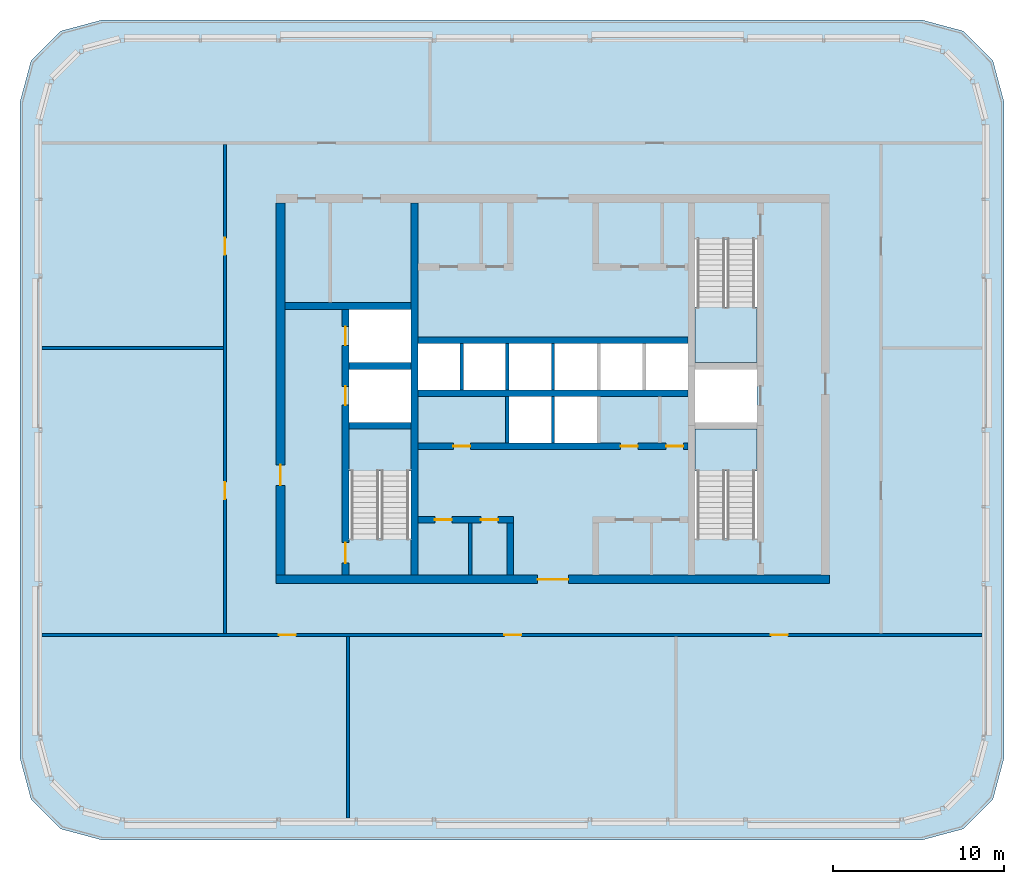
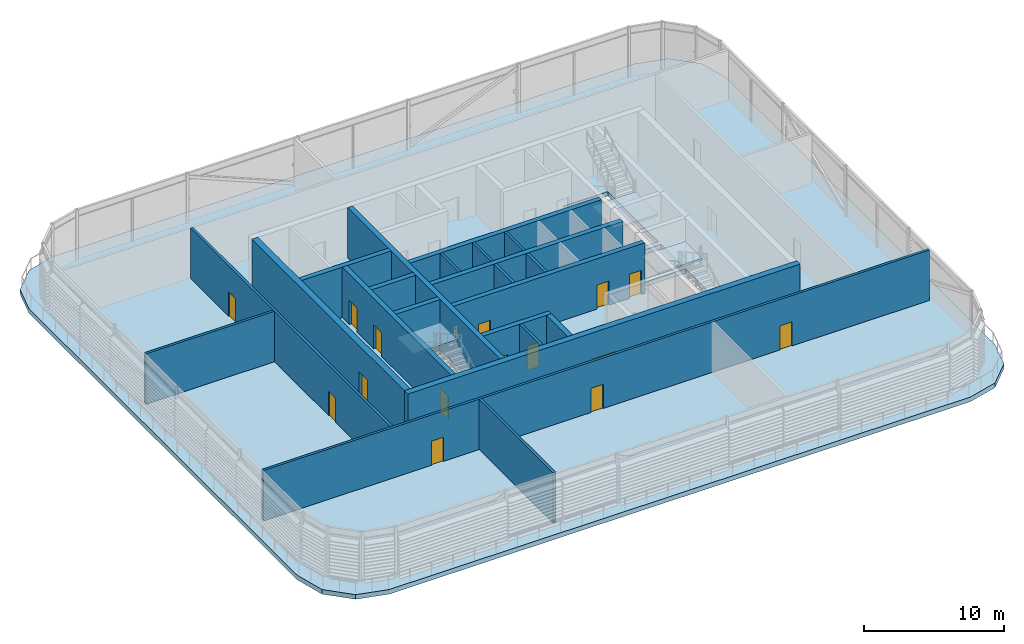
# One storey, part 15 of 29: 22 walls, 15 doors, 4 slabs, 15 openings, 3 elements without a shape of their own.
"""IFC4 building model written with IfcOpenShell, lengths in metres."""

from ifc_helpers import new_model, si_unit, direction, frame, frame_2d, origin, place, context, subcontext, project, spatial, polyline, rectangle, outline, extrude, material, layer, layer_set, type_object, element, fill, aggregate, save


model = new_model("IFC4")

# Units and contexts
model_context = context("Model", 3, precision=1e-05, world=origin(), true_north=direction((0.0, 1.0)))
body_context = subcontext(model_context, "Body", "Model", "MODEL_VIEW")
ifc_project = project(units=[si_unit("LENGTHUNIT", "METRE"), si_unit("AREAUNIT", "SQUARE_METRE"), si_unit("VOLUMEUNIT", "CUBIC_METRE"), si_unit("PLANEANGLEUNIT", "RADIAN"), si_unit("MASSUNIT", "GRAM", prefix="KILO")], contexts=[model_context])

# Site, building, storey
site_placement = place(None, origin())
site = spatial("IfcSite", under=ifc_project, at=site_placement, CompositionType="ELEMENT")
building_placement = place(site_placement, origin())
building = spatial("IfcBuilding", under=site, at=building_placement, Name="Madar Terraces", CompositionType="ELEMENT")
storey_placement = place(building_placement, frame((0.0, 0.0, 296.300048828125)))
storey = spatial("IfcBuildingStorey", under=building, at=storey_placement, Name="L77", CompositionType="ELEMENT", Elevation=296.300048828125)

# Slab
ifc_material_1 = material(Name="Concrete C50/60", Category="concrete")
ifc_layer_1 = layer(ifc_material_1, 0.39990234375)
ifc_layer_set_1 = layer_set([ifc_layer_1], Name="FS6 PT flat slab 400")
slab_type_1 = type_object("IfcSlabType", Name="FS6 PT flat slab 400", PredefinedType="FLOOR", material=ifc_layer_set_1)
slab_1_placement = place(storey_placement, frame((0.0, 0.0, -0.400146484375)))
element("IfcSlab", 1, at=slab_1_placement, inside=storey, type_object=slab_type_1, Name="Floor slab L77 (1)", PredefinedType="FLOOR", context=body_context, shape_type="SweptSolid", body=[
    extrude(outline(polyline([(52.800048828125, 0.0), (55.199951171875, 0.64306640625), (56.95703125, 2.39990234375), (57.60009765625, 4.800048828125), (57.60009765625, 43.199951171875), (56.95703125, 45.60009765625), (55.199951171875, 47.35693359375), (52.800048828125, 48.0), (4.800048828125, 48.0), (2.39990234375, 47.35693359375), (0.64306640625, 45.60009765625), (0.0, 43.199951171875), (0.0, 4.800048828125), (0.64306640625, 2.39990234375), (2.39990234375, 0.64306640625), (4.800048828125, 0.0), (52.800048828125, 0.0)]), holes=[polyline([(22.89990234375, 17.64990234375), (19.25, 17.64990234375), (19.25, 24.050048828125), (22.89990234375, 24.050048828125), (22.89990234375, 17.64990234375)]), polyline([(28.63330078125, 23.25), (28.63330078125, 25.949951171875), (31.10009765625, 25.949951171875), (31.10009765625, 23.25), (28.63330078125, 23.25)]), polyline([(19.25, 24.449951171875), (19.25, 27.550048828125), (22.89990234375, 27.550048828125), (22.89990234375, 24.449951171875), (19.25, 24.449951171875)]), polyline([(23.300048828125, 26.35009765625), (23.300048828125, 29.050048828125), (25.7666015625, 29.050048828125), (25.7666015625, 26.35009765625), (23.300048828125, 26.35009765625)]), polyline([(25.966552734375, 26.35009765625), (25.966552734375, 29.050048828125), (28.433349609375, 29.050048828125), (28.433349609375, 26.35009765625), (25.966552734375, 26.35009765625)]), polyline([(28.63330078125, 26.35009765625), (28.63330078125, 29.050048828125), (31.10009765625, 29.050048828125), (31.10009765625, 26.35009765625), (28.63330078125, 26.35009765625)]), polyline([(19.25, 27.949951171875), (19.25, 31.050048828125), (22.89990234375, 31.050048828125), (22.89990234375, 27.949951171875), (19.25, 27.949951171875)]), polyline([(43.14990234375, 17.64990234375), (39.5, 17.64990234375), (39.5, 24.050048828125), (43.14990234375, 24.050048828125), (43.14990234375, 17.64990234375)]), polyline([(31.300048828125, 23.25), (31.300048828125, 25.949951171875), (33.7666015625, 25.949951171875), (33.7666015625, 23.25), (31.300048828125, 23.25)]), polyline([(39.5, 24.449951171875), (39.5, 27.550048828125), (43.14990234375, 27.550048828125), (43.14990234375, 24.449951171875), (39.5, 24.449951171875)]), polyline([(31.300048828125, 26.35009765625), (31.300048828125, 29.050048828125), (33.7666015625, 29.050048828125), (33.7666015625, 26.35009765625), (31.300048828125, 26.35009765625)]), polyline([(33.966552734375, 26.35009765625), (33.966552734375, 29.050048828125), (36.433349609375, 29.050048828125), (36.433349609375, 26.35009765625), (33.966552734375, 26.35009765625)]), polyline([(36.63330078125, 26.35009765625), (36.63330078125, 29.050048828125), (39.10009765625, 29.050048828125), (39.10009765625, 26.35009765625), (36.63330078125, 26.35009765625)]), polyline([(39.5, 27.949951171875), (39.5, 35.14990234375), (43.14990234375, 35.14990234375), (43.14990234375, 27.949951171875), (39.5, 27.949951171875)])]), origin(), (0.0, 0.0, 1.0), 0.400146484375),
])

# Stair, slab
ifc_material_2 = material(Name="Concrete C50/60", Category="concrete")
stair_type_1 = type_object("IfcStairType", Name="Stair ST1 protected exit", PredefinedType="HALF_TURN_STAIR", material=ifc_material_2)
stair_1_placement = place(storey_placement, origin())
stair_1 = element("IfcStair", 2, at=stair_1_placement, inside=storey, type_object=stair_type_1, Name="L77 Protected Exit Stair ST1", PredefinedType="HALF_TURN_STAIR")
ifc_material_3 = material(Name="Concrete C50/60", Category="concrete")
ifc_layer_2 = layer(ifc_material_3, 0.199951171875)
ifc_layer_set_2 = layer_set([ifc_layer_2], Name="Stair landing 200, top +2.40")
slab_type_2 = type_object("IfcSlabType", Name="Stair landing 200, top +2.40", PredefinedType="LANDING", material=ifc_layer_set_2)
slab_2_placement = place(storey_placement, frame((0.0, 0.0, 2.199951171875)))
slab_2 = element("IfcSlab", 3, at=slab_2_placement, type_object=slab_type_2, Name="ST1 landing 1", PredefinedType="LANDING", context=body_context, shape_type="SweptSolid", body=[
    extrude(outline(polyline([(19.25, 21.60009765625), (22.89990234375, 21.60009765625), (22.89990234375, 24.050048828125), (19.25, 24.050048828125), (19.25, 21.60009765625)])), origin(), (0.0, 0.0, 1.0), 0.199951171875),
])
aggregate(stair_1, [slab_2])

ifc_material_4 = material(Name="Concrete C50/60", Category="concrete")
stair_type_2 = type_object("IfcStairType", Name="Stair ST2 protected exit", PredefinedType="HALF_TURN_STAIR", material=ifc_material_4)
stair_2_placement = place(storey_placement, origin())
stair_2 = element("IfcStair", 4, at=stair_2_placement, inside=storey, type_object=stair_type_2, Name="L77 Protected Exit Stair ST2", PredefinedType="HALF_TURN_STAIR")
slab_3_placement = place(storey_placement, frame((0.0, 0.0, 2.199951171875)))
slab_3 = element("IfcSlab", 5, at=slab_3_placement, type_object=slab_type_2, Name="ST2 landing 1", PredefinedType="LANDING", context=body_context, shape_type="SweptSolid", body=[
    extrude(outline(polyline([(39.5, 27.949951171875), (43.14990234375, 27.949951171875), (43.14990234375, 31.199951171875), (39.5, 31.199951171875), (39.5, 27.949951171875)])), origin(), (0.0, 0.0, 1.0), 0.199951171875),
])
aggregate(stair_2, [slab_3])

ifc_material_5 = material(Name="Concrete C50/60", Category="concrete")
stair_type_3 = type_object("IfcStairType", Name="Stair ST3 protected exit", PredefinedType="HALF_TURN_STAIR", material=ifc_material_5)
stair_3_placement = place(storey_placement, origin())
stair_3 = element("IfcStair", 6, at=stair_3_placement, inside=storey, type_object=stair_type_3, Name="L77 Protected Exit Stair ST3", PredefinedType="HALF_TURN_STAIR")
slab_4_placement = place(storey_placement, frame((0.0, 0.0, 2.199951171875)))
slab_4 = element("IfcSlab", 7, at=slab_4_placement, type_object=slab_type_2, Name="ST3 landing 1", PredefinedType="LANDING", context=body_context, shape_type="SweptSolid", body=[
    extrude(outline(polyline([(39.5, 21.60009765625), (43.14990234375, 21.60009765625), (43.14990234375, 24.050048828125), (39.5, 24.050048828125), (39.5, 21.60009765625)])), origin(), (0.0, 0.0, 1.0), 0.199951171875),
])
aggregate(stair_3, [slab_4])

# Wall, openings, doors
ifc_material_6 = material(Name="Concrete C50/60", Category="concrete")
ifc_layer_3 = layer(ifc_material_6, 0.39990234375)
ifc_layer_set_3 = layer_set([ifc_layer_3], Name="Concrete C50/60 (CIW6 RC wall 400)")
wall_type_1 = type_object("IfcWallType", Name="CIW6 RC wall 400", PredefinedType="SHEAR", material=ifc_layer_set_3)
wall_1_placement = place(storey_placement, frame((19.050048828125, 15.5, 0.0), z_axis=(0.0, 0.0, 1.0), x_axis=(0.0, 1.0, 0.0)))
wall_1 = element("IfcWall", 8, at=wall_1_placement, inside=storey, type_object=wall_type_1, Name="CORE SHAFT WALL", PredefinedType="SHEAR", context=body_context, shape_type="SweptSolid", body=[
    extrude(rectangle(XDim=15.550048828125, YDim=0.39990234375, at=frame_2d((7.77490234375, 0.0))), origin(), (0.0, 0.0, 1.0), 4.39990234375),
])
opening_1_placement = place(wall_1_placement, frame((9.949951171875, 0.0, 0.0)))
opening_1 = element("IfcOpeningElement", 9, at=opening_1_placement, cuts=wall_1, Name="Opening LD", PredefinedType="OPENING", context=body_context, shape_type="SweptSolid", body=[
    extrude(rectangle(XDim=1.10009765625, YDim=2.10009765625, at=frame_2d((0.550048828125, 1.050048828125))), frame((0.0, 0.2099609375, 0.0), z_axis=(0.0, -1.0, 0.0), x_axis=(1.0, 0.0, 0.0)), (0.0, 0.0, 1.0), 0.419921875),
])
opening_2_placement = place(wall_1_placement, frame((13.449951171875, 0.0, 0.0)))
opening_2 = element("IfcOpeningElement", 10, at=opening_2_placement, cuts=wall_1, Name="Opening LD", PredefinedType="OPENING", context=body_context, shape_type="SweptSolid", body=[
    extrude(rectangle(XDim=1.10009765625, YDim=2.10009765625, at=frame_2d((0.550048828125, 1.050048828125))), frame((0.0, 0.2099609375, 0.0), z_axis=(0.0, -1.0, 0.0), x_axis=(1.0, 0.0, 0.0)), (0.0, 0.0, 1.0), 0.419921875),
])
opening_3_placement = place(wall_1_placement, frame((0.699951171875, 0.0, 0.0)))
opening_3 = element("IfcOpeningElement", 11, at=opening_3_placement, cuts=wall_1, Name="Opening SD1", PredefinedType="OPENING", context=body_context, shape_type="SweptSolid", body=[
    extrude(rectangle(XDim=1.199951171875, YDim=2.10009765625, at=frame_2d((0.60009765625, 1.050048828125))), frame((0.0, 0.2099609375, 0.0), z_axis=(0.0, -1.0, 0.0), x_axis=(1.0, 0.0, 0.0)), (0.0, 0.0, 1.0), 0.419921875),
])
ifc_material_7 = material(Name="Stainless steel panel", Category="steel")
door_type_1 = type_object("IfcDoorType", Name="Lift landing door 1100 x 2100", OperationType="DOUBLE_DOOR_SLIDING", PredefinedType="DOOR", material=ifc_material_7)
door_1_placement = place(opening_1_placement, origin())
door_1 = element("IfcDoor", 12, at=door_1_placement, inside=storey, type_object=door_type_1, Name="LIFT LANDING DOOR", OperationType="DOUBLE_DOOR_SLIDING", OverallHeight=2.10009765625, OverallWidth=1.10009765625, PredefinedType="DOOR", context=body_context, shape_type="SweptSolid", body=[
    extrude(rectangle(XDim=1.10009765625, YDim=2.10009765625, at=frame_2d((0.550048828125, 1.050048828125))), frame((0.0, 0.02490234375, 0.0), z_axis=(0.0, -1.0, 0.0), x_axis=(1.0, 0.0, 0.0)), (0.0, 0.0, 1.0), 0.050048828125),
])
fill(opening_1, door_1)
door_2_placement = place(opening_2_placement, origin())
door_2 = element("IfcDoor", 13, at=door_2_placement, inside=storey, type_object=door_type_1, Name="LIFT LANDING DOOR", OperationType="DOUBLE_DOOR_SLIDING", OverallHeight=2.10009765625, OverallWidth=1.10009765625, PredefinedType="DOOR", context=body_context, shape_type="SweptSolid", body=[
    extrude(rectangle(XDim=1.10009765625, YDim=2.10009765625, at=frame_2d((0.550048828125, 1.050048828125))), frame((0.0, 0.02490234375, 0.0), z_axis=(0.0, -1.0, 0.0), x_axis=(1.0, 0.0, 0.0)), (0.0, 0.0, 1.0), 0.050048828125),
])
fill(opening_2, door_2)
ifc_material_8 = material(Name="Steel door leaf", Category="steel")
door_type_2 = type_object("IfcDoorType", Name="Stair door 1200 x 2100", OperationType="NOTDEFINED", PredefinedType="DOOR", material=ifc_material_8)
door_3_placement = place(opening_3_placement, frame((1.199951171875, 0.0, 0.0), z_axis=(0.0, 0.0, 1.0), x_axis=(-1.0, 0.0, 0.0)))
door_3 = element("IfcDoor", 14, at=door_3_placement, inside=storey, type_object=door_type_2, Name="STAIR DOOR", OperationType="SINGLE_SWING_LEFT", OverallHeight=2.10009765625, OverallWidth=1.199951171875, PredefinedType="DOOR", context=body_context, shape_type="SweptSolid", body=[
    extrude(rectangle(XDim=1.199951171875, YDim=2.10009765625, at=frame_2d((0.60009765625, 1.050048828125))), frame((0.0, 0.02490234375, 0.0), z_axis=(0.0, -1.0, 0.0), x_axis=(1.0, 0.0, 0.0)), (0.0, 0.0, 1.0), 0.050048828125),
])
fill(opening_3, door_3)

# Walls
wall_2_placement = place(storey_placement, frame((23.10009765625, 15.5, 0.0), z_axis=(0.0, 0.0, 1.0), x_axis=(0.0, 1.0, 0.0)))
element("IfcWall", 15, at=wall_2_placement, inside=storey, type_object=wall_type_1, Name="CORE SHAFT WALL", PredefinedType="SHEAR", context=body_context, shape_type="SweptSolid", body=[
    extrude(rectangle(XDim=21.800048828125, YDim=0.39990234375, at=frame_2d((10.89990234375, 0.0))), origin(), (0.0, 0.0, 1.0), 4.39990234375),
])
for number, where, z_axis, x_axis, name in (
    (16, (19.25, 24.25, 0.0), (0.0, 0.0, 1.0), (1.0, 0.0, 0.0), "CORE SHAFT WALL"),
    (17, (19.25, 27.75, 0.0), (0.0, 0.0, 1.0), (1.0, 0.0, 0.0), "CORE SHAFT WALL"),
):
    element("IfcWall", number, at=place(storey_placement, frame(where, z_axis=z_axis, x_axis=x_axis)), inside=storey, type_object=wall_type_1, Name=name, PredefinedType="SHEAR", context=body_context, shape_type="SweptSolid", body=[
        extrude(rectangle(XDim=3.64990234375, YDim=0.39990234375, at=frame_2d((1.824951171875, 0.0))), origin(), (0.0, 0.0, 1.0), 4.39990234375),
    ])
wall_3_placement = place(storey_placement, frame((15.5, 31.25, 0.0), z_axis=(0.0, 0.0, 1.0), x_axis=(1.0, 0.0, 0.0)))
element("IfcWall", 18, at=wall_3_placement, inside=storey, type_object=wall_type_1, Name="CORE SHAFT WALL", PredefinedType="SHEAR", context=body_context, shape_type="SweptSolid", body=[
    extrude(rectangle(XDim=7.39990234375, YDim=0.39990234375, at=frame_2d((3.699951171875, 0.0))), origin(), (0.0, 0.0, 1.0), 4.39990234375),
])

# Wall, openings, doors
wall_4_placement = place(storey_placement, frame((23.300048828125, 18.75, 0.0), z_axis=(0.0, 0.0, 1.0), x_axis=(1.0, 0.0, 0.0)))
wall_4 = element("IfcWall", 19, at=wall_4_placement, inside=storey, type_object=wall_type_1, Name="CORE SHAFT WALL", PredefinedType="SHEAR", context=body_context, shape_type="SweptSolid", body=[
    extrude(rectangle(XDim=5.599853515625, YDim=0.39990234375, at=frame_2d((2.7998046875, 0.0))), origin(), (0.0, 0.0, 1.0), 4.39990234375),
])
opening_4_placement = place(wall_4_placement, frame((0.98388671875, 0.0, 0.0)))
opening_4 = element("IfcOpeningElement", 20, at=opening_4_placement, cuts=wall_4, Name="Opening KD2", PredefinedType="OPENING", context=body_context, shape_type="SweptSolid", body=[
    extrude(rectangle(XDim=1.0, YDim=2.10009765625, at=frame_2d((0.5, 1.050048828125))), frame((0.0, 0.2099609375, 0.0), z_axis=(0.0, -1.0, 0.0), x_axis=(1.0, 0.0, 0.0)), (0.0, 0.0, 1.0), 0.419921875),
])
opening_5_placement = place(wall_4_placement, frame((3.68408203125, 0.0, 0.0)))
opening_5 = element("IfcOpeningElement", 21, at=opening_5_placement, cuts=wall_4, Name="Opening KD2", PredefinedType="OPENING", context=body_context, shape_type="SweptSolid", body=[
    extrude(rectangle(XDim=1.0, YDim=2.10009765625, at=frame_2d((0.5, 1.050048828125))), frame((0.0, 0.2099609375, 0.0), z_axis=(0.0, -1.0, 0.0), x_axis=(1.0, 0.0, 0.0)), (0.0, 0.0, 1.0), 0.419921875),
])
ifc_material_9 = material(Name="Steel door leaf", Category="steel")
door_type_3 = type_object("IfcDoorType", Name="Service room door 1000 x 2100", OperationType="NOTDEFINED", PredefinedType="DOOR", material=ifc_material_9)
door_4_placement = place(opening_4_placement, origin())
door_4 = element("IfcDoor", 22, at=door_4_placement, inside=storey, type_object=door_type_3, Name="SERVICE ROOM DOOR", OperationType="SINGLE_SWING_LEFT", OverallHeight=2.10009765625, OverallWidth=1.0, PredefinedType="DOOR", context=body_context, shape_type="SweptSolid", body=[
    extrude(rectangle(XDim=1.0, YDim=2.10009765625, at=frame_2d((0.5, 1.050048828125))), frame((0.0, 0.02490234375, 0.0), z_axis=(0.0, -1.0, 0.0), x_axis=(1.0, 0.0, 0.0)), (0.0, 0.0, 1.0), 0.050048828125),
])
fill(opening_4, door_4)
door_5_placement = place(opening_5_placement, origin())
door_5 = element("IfcDoor", 23, at=door_5_placement, inside=storey, type_object=door_type_3, Name="SERVICE ROOM DOOR", OperationType="SINGLE_SWING_RIGHT", OverallHeight=2.10009765625, OverallWidth=1.0, PredefinedType="DOOR", context=body_context, shape_type="SweptSolid", body=[
    extrude(rectangle(XDim=1.0, YDim=2.10009765625, at=frame_2d((0.5, 1.050048828125))), frame((0.0, 0.02490234375, 0.0), z_axis=(0.0, -1.0, 0.0), x_axis=(1.0, 0.0, 0.0)), (0.0, 0.0, 1.0), 0.050048828125),
])
fill(opening_5, door_5)

wall_5_placement = place(storey_placement, frame((23.300048828125, 23.050048828125, 0.0), z_axis=(0.0, 0.0, 1.0), x_axis=(1.0, 0.0, 0.0)))
wall_5 = element("IfcWall", 24, at=wall_5_placement, inside=storey, type_object=wall_type_1, Name="CORE SHAFT WALL", PredefinedType="SHEAR", context=body_context, shape_type="SweptSolid", body=[
    extrude(rectangle(XDim=15.800048828125, YDim=0.39990234375, at=frame_2d((7.89990234375, 0.0))), origin(), (0.0, 0.0, 1.0), 4.39990234375),
])
opening_6_placement = place(wall_5_placement, frame((2.066650390625, 0.0, 0.0)))
opening_6 = element("IfcOpeningElement", 25, at=opening_6_placement, cuts=wall_5, Name="Opening KD2", PredefinedType="OPENING", context=body_context, shape_type="SweptSolid", body=[
    extrude(rectangle(XDim=1.0, YDim=2.10009765625, at=frame_2d((0.5, 1.050048828125))), frame((0.0, 0.2099609375, 0.0), z_axis=(0.0, -1.0, 0.0), x_axis=(1.0, 0.0, 0.0)), (0.0, 0.0, 1.0), 0.419921875),
])
opening_7_placement = place(wall_5_placement, frame((11.862060546875, 0.0, 0.0)))
opening_7 = element("IfcOpeningElement", 26, at=opening_7_placement, cuts=wall_5, Name="Opening KD2", PredefinedType="OPENING", context=body_context, shape_type="SweptSolid", body=[
    extrude(rectangle(XDim=1.0, YDim=2.10009765625, at=frame_2d((0.5, 1.050048828125))), frame((0.0, 0.2099609375, 0.0), z_axis=(0.0, -1.0, 0.0), x_axis=(1.0, 0.0, 0.0)), (0.0, 0.0, 1.0), 0.419921875),
])
opening_8_placement = place(wall_5_placement, frame((14.528564453125, 0.0, 0.0)))
opening_8 = element("IfcOpeningElement", 27, at=opening_8_placement, cuts=wall_5, Name="Opening KD2", PredefinedType="OPENING", context=body_context, shape_type="SweptSolid", body=[
    extrude(rectangle(XDim=1.0, YDim=2.10009765625, at=frame_2d((0.5, 1.050048828125))), frame((0.0, 0.2099609375, 0.0), z_axis=(0.0, -1.0, 0.0), x_axis=(1.0, 0.0, 0.0)), (0.0, 0.0, 1.0), 0.419921875),
])
door_6_placement = place(opening_6_placement, frame((1.0, 0.0, 0.0), z_axis=(0.0, 0.0, 1.0), x_axis=(-1.0, 0.0, 0.0)))
door_6 = element("IfcDoor", 28, at=door_6_placement, inside=storey, type_object=door_type_3, Name="SERVICE ROOM DOOR", OperationType="SINGLE_SWING_RIGHT", OverallHeight=2.10009765625, OverallWidth=1.0, PredefinedType="DOOR", context=body_context, shape_type="SweptSolid", body=[
    extrude(rectangle(XDim=1.0, YDim=2.10009765625, at=frame_2d((0.5, 1.050048828125))), frame((0.0, 0.02490234375, 0.0), z_axis=(0.0, -1.0, 0.0), x_axis=(1.0, 0.0, 0.0)), (0.0, 0.0, 1.0), 0.050048828125),
])
fill(opening_6, door_6)
door_7_placement = place(opening_7_placement, frame((1.0, 0.0, 0.0), z_axis=(0.0, 0.0, 1.0), x_axis=(-1.0, 0.0, 0.0)))
door_7 = element("IfcDoor", 29, at=door_7_placement, inside=storey, type_object=door_type_3, Name="SERVICE ROOM DOOR", OperationType="SINGLE_SWING_LEFT", OverallHeight=2.10009765625, OverallWidth=1.0, PredefinedType="DOOR", context=body_context, shape_type="SweptSolid", body=[
    extrude(rectangle(XDim=1.0, YDim=2.10009765625, at=frame_2d((0.5, 1.050048828125))), frame((0.0, 0.02490234375, 0.0), z_axis=(0.0, -1.0, 0.0), x_axis=(1.0, 0.0, 0.0)), (0.0, 0.0, 1.0), 0.050048828125),
])
fill(opening_7, door_7)
door_8_placement = place(opening_8_placement, frame((1.0, 0.0, 0.0), z_axis=(0.0, 0.0, 1.0), x_axis=(-1.0, 0.0, 0.0)))
door_8 = element("IfcDoor", 30, at=door_8_placement, inside=storey, type_object=door_type_3, Name="SERVICE ROOM DOOR", OperationType="SINGLE_SWING_RIGHT", OverallHeight=2.10009765625, OverallWidth=1.0, PredefinedType="DOOR", context=body_context, shape_type="SweptSolid", body=[
    extrude(rectangle(XDim=1.0, YDim=2.10009765625, at=frame_2d((0.5, 1.050048828125))), frame((0.0, 0.02490234375, 0.0), z_axis=(0.0, -1.0, 0.0), x_axis=(1.0, 0.0, 0.0)), (0.0, 0.0, 1.0), 0.050048828125),
])
fill(opening_8, door_8)

# Walls
for number, where, z_axis, x_axis, name in (
    (31, (23.300048828125, 26.14990234375, 0.0), (0.0, 0.0, 1.0), (1.0, 0.0, 0.0), "CORE SHAFT WALL"),
    (32, (23.300048828125, 29.25, 0.0), (0.0, 0.0, 1.0), (1.0, 0.0, 0.0), "CORE SHAFT WALL"),
):
    element("IfcWall", number, at=place(storey_placement, frame(where, z_axis=z_axis, x_axis=x_axis)), inside=storey, type_object=wall_type_1, Name=name, PredefinedType="SHEAR", context=body_context, shape_type="SweptSolid", body=[
        extrude(rectangle(XDim=15.800048828125, YDim=0.39990234375, at=frame_2d((7.89990234375, 0.0))), origin(), (0.0, 0.0, 1.0), 4.39990234375),
    ])
wall_6_placement = place(storey_placement, frame((28.699951171875, 15.5, 0.0), z_axis=(0.0, 0.0, 1.0), x_axis=(0.0, 1.0, 0.0)))
element("IfcWall", 33, at=wall_6_placement, inside=storey, type_object=wall_type_1, Name="CORE SHAFT WALL", PredefinedType="SHEAR", context=body_context, shape_type="SweptSolid", body=[
    extrude(rectangle(XDim=3.050048828125, YDim=0.39990234375, at=frame_2d((1.52490234375, 0.0))), origin(), (0.0, 0.0, 1.0), 4.39990234375),
])

# Wall, opening, door
ifc_material_10 = material(Name="Concrete C50/60", Category="concrete")
ifc_layer_4 = layer(ifc_material_10, 0.5)
ifc_layer_set_4 = layer_set([ifc_layer_4], Name="Concrete C50/60 (CRW6 RC wall 500)")
wall_type_2 = type_object("IfcWallType", Name="CRW6 RC wall 500", PredefinedType="SHEAR", material=ifc_layer_set_4)
wall_7_placement = place(storey_placement, frame((15.0, 15.25, 0.0), z_axis=(0.0, 0.0, 1.0), x_axis=(1.0, 0.0, 0.0)))
wall_7 = element("IfcWall", 34, at=wall_7_placement, inside=storey, type_object=wall_type_2, Name="CORE OUTER WALL", PredefinedType="SHEAR", context=body_context, shape_type="SweptSolid", body=[
    extrude(rectangle(XDim=32.39990234375, YDim=0.5, at=frame_2d((16.199951171875, 0.0))), origin(), (0.0, 0.0, 1.0), 4.39990234375),
])
opening_9_placement = place(wall_7_placement, frame((15.300048828125, 0.0, 0.0)))
opening_9 = element("IfcOpeningElement", 35, at=opening_9_placement, cuts=wall_7, Name="Opening KD1", PredefinedType="OPENING", context=body_context, shape_type="SweptSolid", body=[
    extrude(rectangle(XDim=1.800048828125, YDim=2.10009765625, at=frame_2d((0.89990234375, 1.050048828125))), frame((0.0, 0.260009765625, 0.0), z_axis=(0.0, -1.0, 0.0), x_axis=(1.0, 0.0, 0.0)), (0.0, 0.0, 1.0), 0.52001953125),
])
ifc_material_11 = material(Name="Steel door leaf", Category="steel")
door_type_4 = type_object("IfcDoorType", Name="Lobby door pair 1800 x 2100", OperationType="DOUBLE_DOOR_SINGLE_SWING", PredefinedType="DOOR", material=ifc_material_11)
door_9_placement = place(opening_9_placement, frame((1.800048828125, 0.0, 0.0), z_axis=(0.0, 0.0, 1.0), x_axis=(-1.0, 0.0, 0.0)))
door_9 = element("IfcDoor", 36, at=door_9_placement, inside=storey, type_object=door_type_4, Name="LIFT LOBBY DOOR", OperationType="DOUBLE_DOOR_SINGLE_SWING", OverallHeight=2.10009765625, OverallWidth=1.800048828125, PredefinedType="DOOR", context=body_context, shape_type="SweptSolid", body=[
    extrude(rectangle(XDim=1.800048828125, YDim=2.10009765625, at=frame_2d((0.89990234375, 1.050048828125))), frame((0.0, 0.02490234375, 0.0), z_axis=(0.0, -1.0, 0.0), x_axis=(1.0, 0.0, 0.0)), (0.0, 0.0, 1.0), 0.050048828125),
])
fill(opening_9, door_9)

wall_8_placement = place(storey_placement, frame((15.25, 15.5, 0.0), z_axis=(0.0, 0.0, 1.0), x_axis=(0.0, 1.0, 0.0)))
wall_8 = element("IfcWall", 37, at=wall_8_placement, inside=storey, type_object=wall_type_2, Name="CORE OUTER WALL", PredefinedType="SHEAR", context=body_context, shape_type="SweptSolid", body=[
    extrude(rectangle(XDim=21.800048828125, YDim=0.5, at=frame_2d((10.89990234375, 0.0))), origin(), (0.0, 0.0, 1.0), 4.39990234375),
])
opening_10_placement = place(wall_8_placement, frame((5.260009765625, 0.0, 0.0)))
opening_10 = element("IfcOpeningElement", 38, at=opening_10_placement, cuts=wall_8, Name="Opening SD1", PredefinedType="OPENING", context=body_context, shape_type="SweptSolid", body=[
    extrude(rectangle(XDim=1.199951171875, YDim=2.10009765625, at=frame_2d((0.60009765625, 1.050048828125))), frame((0.0, 0.260009765625, 0.0), z_axis=(0.0, -1.0, 0.0), x_axis=(1.0, 0.0, 0.0)), (0.0, 0.0, 1.0), 0.52001953125),
])
door_10_placement = place(opening_10_placement, frame((1.199951171875, 0.0, 0.0), z_axis=(0.0, 0.0, 1.0), x_axis=(-1.0, 0.0, 0.0)))
door_10 = element("IfcDoor", 39, at=door_10_placement, inside=storey, type_object=door_type_2, Name="STAIR DOOR", OperationType="SINGLE_SWING_RIGHT", OverallHeight=2.10009765625, OverallWidth=1.199951171875, PredefinedType="DOOR", context=body_context, shape_type="SweptSolid", body=[
    extrude(rectangle(XDim=1.199951171875, YDim=2.10009765625, at=frame_2d((0.60009765625, 1.050048828125))), frame((0.0, 0.02490234375, 0.0), z_axis=(0.0, -1.0, 0.0), x_axis=(1.0, 0.0, 0.0)), (0.0, 0.0, 1.0), 0.050048828125),
])
fill(opening_10, door_10)

# Walls
ifc_material_12 = material(Name="Masonry blockwork", Category="masonry")
ifc_layer_5 = layer(ifc_material_12, 0.199951171875)
ifc_layer_set_5 = layer_set([ifc_layer_5], Name="Core partition 200 blockwork")
wall_type_3 = type_object("IfcWallType", Name="Core partition 200 blockwork", PredefinedType="PARTITIONING", material=ifc_layer_set_5)
wall_9_placement = place(storey_placement, frame((26.367919921875, 15.5, 0.0), z_axis=(0.0, 0.0, 1.0), x_axis=(0.0, 1.0, 0.0)))
element("IfcWall", 40, at=wall_9_placement, inside=storey, type_object=wall_type_3, Name="SERVICE ROOM PARTITION", PredefinedType="PARTITIONING", context=body_context, shape_type="SweptSolid", body=[
    extrude(rectangle(XDim=3.050048828125, YDim=0.199951171875, at=frame_2d((1.52490234375, 0.0))), origin(), (0.0, 0.0, 1.0), 4.39990234375),
])
ifc_material_13 = material(Name="Concrete C40/50", Category="concrete")
ifc_layer_6 = layer(ifc_material_13, 0.199951171875)
ifc_layer_set_6 = layer_set([ifc_layer_6], Name="Core shaft dividing wall 200 C40/50")
wall_type_4 = type_object("IfcWallType", Name="Core shaft dividing wall 200 C40/50", PredefinedType="SOLIDWALL", material=ifc_layer_set_6)
for number, where, z_axis, x_axis, name in (
    (41, (25.86669921875, 26.35009765625, 0.0), (0.0, 0.0, 1.0), (0.0, 1.0, 0.0), "SHAFT DIVIDING WALL"),
    (42, (28.533447265625, 23.25, 0.0), (0.0, 0.0, 1.0), (0.0, 1.0, 0.0), "SHAFT DIVIDING WALL"),
    (43, (28.533447265625, 26.35009765625, 0.0), (0.0, 0.0, 1.0), (0.0, 1.0, 0.0), "SHAFT DIVIDING WALL"),
    (44, (31.199951171875, 23.25, 0.0), (0.0, 0.0, 1.0), (0.0, 1.0, 0.0), "SHAFT DIVIDING WALL"),
    (45, (31.199951171875, 26.35009765625, 0.0), (0.0, 0.0, 1.0), (0.0, 1.0, 0.0), "SHAFT DIVIDING WALL"),
):
    element("IfcWall", number, at=place(storey_placement, frame(where, z_axis=z_axis, x_axis=x_axis)), inside=storey, type_object=wall_type_4, Name=name, PredefinedType="SOLIDWALL", context=body_context, shape_type="SweptSolid", body=[
        extrude(rectangle(XDim=2.699951171875, YDim=0.199951171875, at=frame_2d((1.35009765625, 0.0))), origin(), (0.0, 0.0, 1.0), 4.39990234375),
    ])

# Wall, openings, doors
ifc_material_14 = material(Name="Blockwork", Category="masonry")
ifc_layer_7 = layer(ifc_material_14, 0.199951171875)
ifc_layer_set_7 = layer_set([ifc_layer_7], Name="Partition 200 EI 120")
wall_type_5 = type_object("IfcWallType", Name="Partition 200 EI 120", PredefinedType="PARTITIONING", material=ifc_layer_set_7)
wall_10_placement = place(storey_placement, frame((56.300048828125, 12.0, 0.0), z_axis=(0.0, 0.0, 1.0), x_axis=(-1.0, 0.0, 0.0)))
wall_10 = element("IfcWall", 46, at=wall_10_placement, inside=storey, type_object=wall_type_5, Name="Wall AIR HANDLING PLANT ROOM + COOLING PLANT ROOM", PredefinedType="PARTITIONING", context=body_context, shape_type="SweptSolid", body=[
    extrude(rectangle(XDim=55.0, YDim=0.199951171875, at=frame_2d((27.5, 0.0))), origin(), (0.0, 0.0, 1.0), 4.39990234375),
])
opening_11_placement = place(wall_10_placement, frame((40.14990234375, 0.0, 0.0)))
opening_11 = element("IfcOpeningElement", 47, at=opening_11_placement, cuts=wall_10, Name="Opening D33", PredefinedType="OPENING", context=body_context, shape_type="SweptSolid", body=[
    extrude(rectangle(XDim=1.0, YDim=2.10009765625, at=frame_2d((0.5, 1.050048828125))), frame((0.0, 0.10986328125, 0.0), z_axis=(0.0, -1.0, 0.0), x_axis=(1.0, 0.0, 0.0)), (0.0, 0.0, 1.0), 0.219970703125),
])
opening_12_placement = place(wall_10_placement, frame((26.949951171875, 0.0, 0.0)))
opening_12 = element("IfcOpeningElement", 48, at=opening_12_placement, cuts=wall_10, Name="Opening D33", PredefinedType="OPENING", context=body_context, shape_type="SweptSolid", body=[
    extrude(rectangle(XDim=1.0, YDim=2.10009765625, at=frame_2d((0.5, 1.050048828125))), frame((0.0, 0.10986328125, 0.0), z_axis=(0.0, -1.0, 0.0), x_axis=(1.0, 0.0, 0.0)), (0.0, 0.0, 1.0), 0.219970703125),
])
opening_13_placement = place(wall_10_placement, frame((11.35009765625, 0.0, 0.0)))
opening_13 = element("IfcOpeningElement", 49, at=opening_13_placement, cuts=wall_10, Name="Opening D33", PredefinedType="OPENING", context=body_context, shape_type="SweptSolid", body=[
    extrude(rectangle(XDim=1.0, YDim=2.10009765625, at=frame_2d((0.5, 1.050048828125))), frame((0.0, 0.10986328125, 0.0), z_axis=(0.0, -1.0, 0.0), x_axis=(1.0, 0.0, 0.0)), (0.0, 0.0, 1.0), 0.219970703125),
])
ifc_material_15 = material(Name="Timber door leaf, fire-rated", Category="wood")
door_type_5 = type_object("IfcDoorType", Name="Podium door 1000 x 2100 FD90S", OperationType="NOTDEFINED", PredefinedType="DOOR", material=ifc_material_15)
door_11_placement = place(opening_11_placement, origin())
door_11 = element("IfcDoor", 50, at=door_11_placement, inside=storey, type_object=door_type_5, Name="Door LIFT MACHINE PLANT ROOM / RING CORRIDOR", OperationType="SINGLE_SWING_LEFT", OverallHeight=2.10009765625, OverallWidth=1.0, PredefinedType="DOOR", context=body_context, shape_type="SweptSolid", body=[
    extrude(rectangle(XDim=1.0, YDim=2.10009765625, at=frame_2d((0.5, 1.050048828125))), frame((0.0, 0.02490234375, 0.0), z_axis=(0.0, -1.0, 0.0), x_axis=(1.0, 0.0, 0.0)), (0.0, 0.0, 1.0), 0.050048828125),
])
fill(opening_11, door_11)
door_12_placement = place(opening_12_placement, origin())
door_12 = element("IfcDoor", 51, at=door_12_placement, inside=storey, type_object=door_type_5, Name="Door AIR HANDLING PLANT ROOM / RING CORRIDOR", OperationType="SINGLE_SWING_LEFT", OverallHeight=2.10009765625, OverallWidth=1.0, PredefinedType="DOOR", context=body_context, shape_type="SweptSolid", body=[
    extrude(rectangle(XDim=1.0, YDim=2.10009765625, at=frame_2d((0.5, 1.050048828125))), frame((0.0, 0.02490234375, 0.0), z_axis=(0.0, -1.0, 0.0), x_axis=(1.0, 0.0, 0.0)), (0.0, 0.0, 1.0), 0.050048828125),
])
fill(opening_12, door_12)
door_13_placement = place(opening_13_placement, origin())
door_13 = element("IfcDoor", 52, at=door_13_placement, inside=storey, type_object=door_type_5, Name="Door COOLING PLANT ROOM / RING CORRIDOR", OperationType="SINGLE_SWING_LEFT", OverallHeight=2.10009765625, OverallWidth=1.0, PredefinedType="DOOR", context=body_context, shape_type="SweptSolid", body=[
    extrude(rectangle(XDim=1.0, YDim=2.10009765625, at=frame_2d((0.5, 1.050048828125))), frame((0.0, 0.02490234375, 0.0), z_axis=(0.0, -1.0, 0.0), x_axis=(1.0, 0.0, 0.0)), (0.0, 0.0, 1.0), 0.050048828125),
])
fill(opening_13, door_13)

# Wall
wall_11_placement = place(storey_placement, frame((1.300048828125, 28.800048828125, 0.0), z_axis=(0.0, 0.0, 1.0), x_axis=(1.0, 0.0, 0.0)))
element("IfcWall", 53, at=wall_11_placement, inside=storey, type_object=wall_type_5, Name="Wall VENTILATION PLANT ROOM / ELECTRICAL PLANT ROOM", PredefinedType="PARTITIONING", context=body_context, shape_type="SweptSolid", body=[
    extrude(rectangle(XDim=10.599853515625, YDim=0.199951171875, at=frame_2d((5.2998046875, 0.0))), origin(), (0.0, 0.0, 1.0), 4.39990234375),
])

# Wall, openings, doors
wall_12_placement = place(storey_placement, frame((12.0, 12.10009765625, 0.0), z_axis=(0.0, 0.0, 1.0), x_axis=(0.0, 1.0, 0.0)))
wall_12 = element("IfcWall", 54, at=wall_12_placement, inside=storey, type_object=wall_type_5, Name="Wall ELECTRICAL PLANT ROOM + VENTILATION PLANT ROOM", PredefinedType="PARTITIONING", context=body_context, shape_type="SweptSolid", body=[
    extrude(rectangle(XDim=28.599853515625, YDim=0.199951171875, at=frame_2d((14.2998046875, 0.0))), origin(), (0.0, 0.0, 1.0), 4.39990234375),
])
opening_14_placement = place(wall_12_placement, frame((7.85009765625, 0.0, 0.0)))
opening_14 = element("IfcOpeningElement", 55, at=opening_14_placement, cuts=wall_12, Name="Opening D33", PredefinedType="OPENING", context=body_context, shape_type="SweptSolid", body=[
    extrude(rectangle(XDim=1.0, YDim=2.10009765625, at=frame_2d((0.5, 1.050048828125))), frame((0.0, 0.10986328125, 0.0), z_axis=(0.0, -1.0, 0.0), x_axis=(1.0, 0.0, 0.0)), (0.0, 0.0, 1.0), 0.219970703125),
])
opening_15_placement = place(wall_12_placement, frame((22.14990234375, 0.0, 0.0)))
opening_15 = element("IfcOpeningElement", 56, at=opening_15_placement, cuts=wall_12, Name="Opening D33", PredefinedType="OPENING", context=body_context, shape_type="SweptSolid", body=[
    extrude(rectangle(XDim=1.0, YDim=2.10009765625, at=frame_2d((0.5, 1.050048828125))), frame((0.0, 0.10986328125, 0.0), z_axis=(0.0, -1.0, 0.0), x_axis=(1.0, 0.0, 0.0)), (0.0, 0.0, 1.0), 0.219970703125),
])
door_14_placement = place(opening_14_placement, origin())
door_14 = element("IfcDoor", 57, at=door_14_placement, inside=storey, type_object=door_type_5, Name="Door VENTILATION PLANT ROOM / RING CORRIDOR", OperationType="SINGLE_SWING_LEFT", OverallHeight=2.10009765625, OverallWidth=1.0, PredefinedType="DOOR", context=body_context, shape_type="SweptSolid", body=[
    extrude(rectangle(XDim=1.0, YDim=2.10009765625, at=frame_2d((0.5, 1.050048828125))), frame((0.0, 0.02490234375, 0.0), z_axis=(0.0, -1.0, 0.0), x_axis=(1.0, 0.0, 0.0)), (0.0, 0.0, 1.0), 0.050048828125),
])
fill(opening_14, door_14)
door_15_placement = place(opening_15_placement, origin())
door_15 = element("IfcDoor", 58, at=door_15_placement, inside=storey, type_object=door_type_5, Name="Door ELECTRICAL PLANT ROOM / RING CORRIDOR", OperationType="SINGLE_SWING_RIGHT", OverallHeight=2.10009765625, OverallWidth=1.0, PredefinedType="DOOR", context=body_context, shape_type="SweptSolid", body=[
    extrude(rectangle(XDim=1.0, YDim=2.10009765625, at=frame_2d((0.5, 1.050048828125))), frame((0.0, 0.02490234375, 0.0), z_axis=(0.0, -1.0, 0.0), x_axis=(1.0, 0.0, 0.0)), (0.0, 0.0, 1.0), 0.050048828125),
])
fill(opening_15, door_15)

# Wall
wall_13_placement = place(storey_placement, frame((19.199951171875, 1.300048828125, 0.0), z_axis=(0.0, 0.0, 1.0), x_axis=(0.0, 1.0, 0.0)))
element("IfcWall", 59, at=wall_13_placement, inside=storey, type_object=wall_type_5, Name="Wall LIFT MACHINE PLANT ROOM / AIR HANDLING PLANT ROOM", PredefinedType="PARTITIONING", context=body_context, shape_type="SweptSolid", body=[
    extrude(rectangle(XDim=10.599853515625, YDim=0.199951171875, at=frame_2d((5.2998046875, 0.0))), origin(), (0.0, 0.0, 1.0), 4.39990234375),
])

save(model, "model.ifc")
